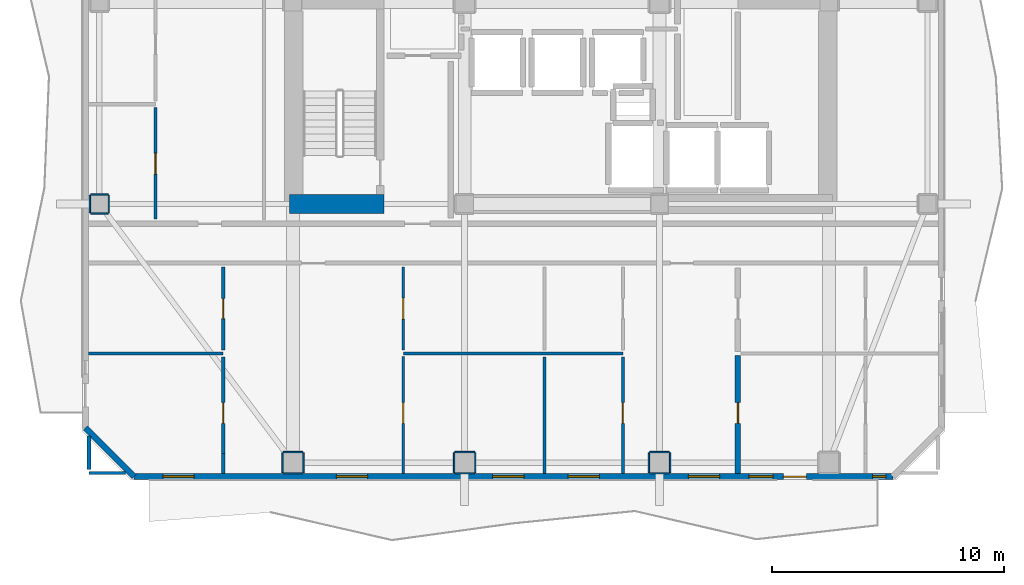
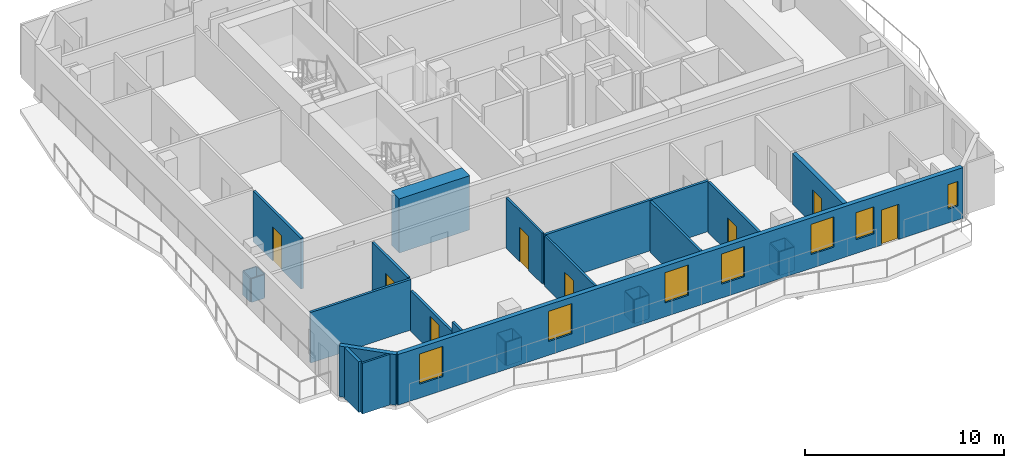
# One storey, part 2 of 10: 32 walls, 8 doors, 7 windows, 15 openings.
"""IFC4 building model written with IfcOpenShell, lengths in metres."""

from ifc_helpers import new_model, si_unit, direction, frame, frame_2d, origin, place, context, subcontext, project, spatial, rectangle, extrude, material, layer, layer_set, type_object, element, fill, save


model = new_model("IFC4")

# Units and contexts
model_context = context("Model", 3, precision=1e-05, world=origin(), true_north=direction((0.0, 1.0)))
body_context = subcontext(model_context, "Body", "Model", "MODEL_VIEW")
ifc_project = project(units=[si_unit("LENGTHUNIT", "METRE"), si_unit("AREAUNIT", "SQUARE_METRE"), si_unit("VOLUMEUNIT", "CUBIC_METRE"), si_unit("PLANEANGLEUNIT", "RADIAN"), si_unit("MASSUNIT", "GRAM", prefix="KILO")], contexts=[model_context])

# Site, building, storey
site_placement = place(None, origin())
site = spatial("IfcSite", under=ifc_project, at=site_placement, CompositionType="ELEMENT")
building_placement = place(site_placement, origin())
building = spatial("IfcBuilding", under=site, at=building_placement, Name="Solanera Arch Residences", CompositionType="ELEMENT")
storey_placement = place(building_placement, frame((0.0, 0.0, 193.47998046875)))
storey = spatial("IfcBuildingStorey", under=building, at=storey_placement, Name="L56", CompositionType="ELEMENT", Elevation=193.47998046875)

# Walls
ifc_material_1 = material(Name="Fire-Rated Gypsum Stud Partition", Category="gypsum")
ifc_layer_1 = layer(ifc_material_1, 0.06005859375)
ifc_layer_set_1 = layer_set([ifc_layer_1], Name="Fire-Rated Gypsum Stud Partition")
wall_type_1 = type_object("IfcWallType", Name="Column Acoustic Furring Wall 60", PredefinedType="PARTITIONING", material=ifc_layer_set_1)
for number, where, z_axis, x_axis, name in (
    (1, (12.97509765625, 10.39306640625, 0.0), (0.0, 0.0, 1.0), (1.0, 0.0, 0.0), "L56 Column Furring 9S"),
    (2, (12.97509765625, 11.306884765625, 0.0), (0.0, 0.0, 1.0), (1.0, 0.0, 0.0), "L56 Column Furring 9N"),
    (3, (12.943115234375, 10.425048828125, 0.0), (0.0, 0.0, 1.0), (0.0, 1.0, 0.0), "L56 Column Furring 9W"),
    (4, (13.85693359375, 10.425048828125, 0.0), (0.0, 0.0, 1.0), (0.0, 1.0, 0.0), "L56 Column Furring 9E"),
):
    element("IfcWall", number, at=place(storey_placement, frame(where, z_axis=z_axis, x_axis=x_axis)), inside=storey, type_object=wall_type_1, Name=name, PredefinedType="PARTITIONING", context=body_context, shape_type="SweptSolid", body=[
        extrude(rectangle(XDim=0.849853515625, YDim=0.06005859375, at=frame_2d((0.4248046875, 0.0))), origin(), (0.0, 0.0, 1.0), 1.449951171875),
    ])
for number, where, z_axis, x_axis, name in (
    (5, (20.375, 10.39306640625, 0.0), (0.0, 0.0, 1.0), (1.0, 0.0, 0.0), "L56 Column Furring 11S"),
    (6, (20.375, 11.306884765625, 0.0), (0.0, 0.0, 1.0), (1.0, 0.0, 0.0), "L56 Column Furring 11N"),
):
    element("IfcWall", number, at=place(storey_placement, frame(where, z_axis=z_axis, x_axis=x_axis)), inside=storey, type_object=wall_type_1, Name=name, PredefinedType="PARTITIONING", context=body_context, shape_type="SweptSolid", body=[
        extrude(rectangle(XDim=0.85009765625, YDim=0.06005859375, at=frame_2d((0.425048828125, 0.0))), origin(), (0.0, 0.0, 1.0), 1.449951171875),
    ])
for number, where, z_axis, x_axis, name in (
    (7, (20.343017578125, 10.425048828125, 0.0), (0.0, 0.0, 1.0), (0.0, 1.0, 0.0), "L56 Column Furring 11W"),
    (8, (21.257080078125, 10.425048828125, 0.0), (0.0, 0.0, 1.0), (0.0, 1.0, 0.0), "L56 Column Furring 11E"),
):
    element("IfcWall", number, at=place(storey_placement, frame(where, z_axis=z_axis, x_axis=x_axis)), inside=storey, type_object=wall_type_1, Name=name, PredefinedType="PARTITIONING", context=body_context, shape_type="SweptSolid", body=[
        extrude(rectangle(XDim=0.849853515625, YDim=0.06005859375, at=frame_2d((0.4248046875, 0.0))), origin(), (0.0, 0.0, 1.0), 1.449951171875),
    ])
for number, where, z_axis, x_axis, name in (
    (9, (28.77490234375, 10.39306640625, 0.0), (0.0, 0.0, 1.0), (1.0, 0.0, 0.0), "L56 Column Furring 13S"),
    (10, (28.77490234375, 11.306884765625, 0.0), (0.0, 0.0, 1.0), (1.0, 0.0, 0.0), "L56 Column Furring 13N"),
):
    element("IfcWall", number, at=place(storey_placement, frame(where, z_axis=z_axis, x_axis=x_axis)), inside=storey, type_object=wall_type_1, Name=name, PredefinedType="PARTITIONING", context=body_context, shape_type="SweptSolid", body=[
        extrude(rectangle(XDim=0.85009765625, YDim=0.06005859375, at=frame_2d((0.425048828125, 0.0))), origin(), (0.0, 0.0, 1.0), 1.449951171875),
    ])
for number, where, z_axis, x_axis, name in (
    (11, (28.742919921875, 10.425048828125, 0.0), (0.0, 0.0, 1.0), (0.0, 1.0, 0.0), "L56 Column Furring 13W"),
    (12, (29.656982421875, 10.425048828125, 0.0), (0.0, 0.0, 1.0), (0.0, 1.0, 0.0), "L56 Column Furring 13E"),
):
    element("IfcWall", number, at=place(storey_placement, frame(where, z_axis=z_axis, x_axis=x_axis)), inside=storey, type_object=wall_type_1, Name=name, PredefinedType="PARTITIONING", context=body_context, shape_type="SweptSolid", body=[
        extrude(rectangle(XDim=0.849853515625, YDim=0.06005859375, at=frame_2d((0.4248046875, 0.0))), origin(), (0.0, 0.0, 1.0), 1.449951171875),
    ])
for number, where, z_axis, x_axis, name in (
    (13, (4.675048828125, 21.593017578125, 0.0), (0.0, 0.0, 1.0), (1.0, 0.0, 0.0), "L56 Column Furring 17S"),
    (14, (4.675048828125, 22.406982421875, 0.0), (0.0, 0.0, 1.0), (1.0, 0.0, 0.0), "L56 Column Furring 17N"),
    (15, (4.64306640625, 21.625, 0.0), (0.0, 0.0, 1.0), (0.0, 1.0, 0.0), "L56 Column Furring 17W"),
    (16, (5.45703125, 21.625, 0.0), (0.0, 0.0, 1.0), (0.0, 1.0, 0.0), "L56 Column Furring 17E"),
):
    element("IfcWall", number, at=place(storey_placement, frame(where, z_axis=z_axis, x_axis=x_axis)), inside=storey, type_object=wall_type_1, Name=name, PredefinedType="PARTITIONING", context=body_context, shape_type="SweptSolid", body=[
        extrude(rectangle(XDim=0.75, YDim=0.06005859375, at=frame_2d((0.375, 0.0))), origin(), (0.0, 0.0, 1.0), 1.449951171875),
    ])
ifc_material_2 = material(Name="Concrete C40/50 (f'c = 45 MPa)", Category="concrete")
ifc_layer_2 = layer(ifc_material_2, 0.800048828125)
ifc_layer_set_2 = layer_set([ifc_layer_2], Name="Concrete C40/50 (f'c = 45 MPa)")
wall_type_2 = type_object("IfcWallType", Name="Core Shear Wall CW-800", PredefinedType="SHEAR", material=ifc_layer_set_2)
wall_1_placement = place(storey_placement, frame((13.239990234375, 22.0, 0.0), z_axis=(0.0, 0.0, 1.0), x_axis=(1.0, 0.0, 0.0)))
element("IfcWall", 17, at=wall_1_placement, inside=storey, type_object=wall_type_2, Name="L56 South-West Core Shear Wall", PredefinedType="SHEAR", context=body_context, shape_type="SweptSolid", body=[
    extrude(rectangle(XDim=4.080078125, YDim=0.800048828125, at=frame_2d((2.0400390625, 0.0))), origin(), (0.0, 0.0, 1.0), 3.320068359375),
])
ifc_material_3 = material(Name="Autoclaved Aerated Concrete Blockwork", Category="masonry")
ifc_layer_3 = layer(ifc_material_3, 0.179931640625)
ifc_layer_set_3 = layer_set([ifc_layer_3], Name="Autoclaved Aerated Concrete Blockwork")
wall_type_3 = type_object("IfcWallType", Name="Corridor Fire Partition 180", PredefinedType="PARTITIONING", material=ifc_layer_set_3)
wall_2_placement = place(storey_placement, frame((4.60009765625, 10.55810546875, 0.0), z_axis=(0.0, 0.0, 1.0), x_axis=(0.0, 1.0, 0.0)))
element("IfcWall", 18, at=wall_2_placement, inside=storey, type_object=wall_type_3, Name="L56 Interior Partition V8 1", PredefinedType="PARTITIONING", context=body_context, shape_type="SweptSolid", body=[
    extrude(rectangle(XDim=1.430908203125, YDim=0.179931640625, at=frame_2d((0.71533203125, 0.0))), origin(), (0.0, 0.0, 1.0), 3.10009765625),
])

# Wall, openings, door, windows
ifc_material_4 = material(Name="Precast Concrete C35/45", Category="concrete")
ifc_layer_4 = layer(ifc_material_4, 0.260009765625)
ifc_layer_set_4 = layer_set([ifc_layer_4], Name="Precast Concrete C35/45")
wall_type_4 = type_object("IfcWallType", Name="Exterior Wall Precast Masonry-Frame 260", PredefinedType="STANDARD", material=ifc_layer_set_4)
wall_3_placement = place(storey_placement, frame((39.2548828125, 10.2451171875, 0.0), z_axis=(0.0, 0.0, 1.0), x_axis=(-1.0, 0.0, 0.0)))
wall_3 = element("IfcWall", 19, at=wall_3_placement, inside=storey, type_object=wall_type_4, Name="L56 Tower Exterior Precast Masonry-Frame Wall S", PredefinedType="STANDARD", context=body_context, shape_type="SweptSolid", body=[
    extrude(rectangle(XDim=32.7099609375, YDim=0.260009765625, at=frame_2d((16.35498046875, 0.0))), origin(), (0.0, 0.0, 1.0), 3.10009765625),
])
opening_1_placement = place(wall_3_placement, frame((3.720947265625, 0.0, 0.0)))
opening_1 = element("IfcOpeningElement", 20, at=opening_1_placement, cuts=wall_3, Name="Opening DB-01", PredefinedType="OPENING", context=body_context, shape_type="SweptSolid", body=[
    extrude(rectangle(XDim=1.0, YDim=2.14990234375, at=frame_2d((0.5, 1.074951171875))), frame((0.0, 0.139892578125, 0.0), z_axis=(0.0, -1.0, 0.0), x_axis=(1.0, 0.0, 0.0)), (0.0, 0.0, 1.0), 0.28),
])
opening_2_placement = place(wall_3_placement, frame((22.639892578125, 0.0, 0.85009765625)))
opening_2 = element("IfcOpeningElement", 21, at=opening_2_placement, cuts=wall_3, Name="Opening W-10", PredefinedType="OPENING", context=body_context, shape_type="SweptSolid", body=[
    extrude(rectangle(XDim=1.35009765625, YDim=1.85009765625, at=frame_2d((0.675048828125, 0.925048828125))), frame((0.0, 0.139892578125, 0.0), z_axis=(0.0, -1.0, 0.0), x_axis=(1.0, 0.0, 0.0)), (0.0, 0.0, 1.0), 0.28),
])
opening_3_placement = place(wall_3_placement, frame((30.117919921875, 0.0, 0.85009765625)))
opening_3 = element("IfcOpeningElement", 22, at=opening_3_placement, cuts=wall_3, Name="Opening W-10", PredefinedType="OPENING", context=body_context, shape_type="SweptSolid", body=[
    extrude(rectangle(XDim=1.35009765625, YDim=1.85009765625, at=frame_2d((0.675048828125, 0.925048828125))), frame((0.0, 0.139892578125, 0.0), z_axis=(0.0, -1.0, 0.0), x_axis=(1.0, 0.0, 0.0)), (0.0, 0.0, 1.0), 0.28),
])
opening_4_placement = place(wall_3_placement, frame((15.89599609375, 0.0, 0.85009765625)))
opening_4 = element("IfcOpeningElement", 23, at=opening_4_placement, cuts=wall_3, Name="Opening W-10", PredefinedType="OPENING", context=body_context, shape_type="SweptSolid", body=[
    extrude(rectangle(XDim=1.35009765625, YDim=1.85009765625, at=frame_2d((0.675048828125, 0.925048828125))), frame((0.0, 0.139892578125, 0.0), z_axis=(0.0, -1.0, 0.0), x_axis=(1.0, 0.0, 0.0)), (0.0, 0.0, 1.0), 0.28),
])
opening_5_placement = place(wall_3_placement, frame((7.464111328125, 0.0, 0.85009765625)))
opening_5 = element("IfcOpeningElement", 24, at=opening_5_placement, cuts=wall_3, Name="Opening W-10", PredefinedType="OPENING", context=body_context, shape_type="SweptSolid", body=[
    extrude(rectangle(XDim=1.35009765625, YDim=1.85009765625, at=frame_2d((0.675048828125, 0.925048828125))), frame((0.0, 0.139892578125, 0.0), z_axis=(0.0, -1.0, 0.0), x_axis=(1.0, 0.0, 0.0)), (0.0, 0.0, 1.0), 0.28),
])
opening_6_placement = place(wall_3_placement, frame((12.64794921875, 0.0, 0.85009765625)))
opening_6 = element("IfcOpeningElement", 25, at=opening_6_placement, cuts=wall_3, Name="Opening W-10", PredefinedType="OPENING", context=body_context, shape_type="SweptSolid", body=[
    extrude(rectangle(XDim=1.35009765625, YDim=1.85009765625, at=frame_2d((0.675048828125, 0.925048828125))), frame((0.0, 0.139892578125, 0.0), z_axis=(0.0, -1.0, 0.0), x_axis=(1.0, 0.0, 0.0)), (0.0, 0.0, 1.0), 0.28),
])
opening_7_placement = place(wall_3_placement, frame((5.158935546875, 0.0, 0.85009765625)))
opening_7 = element("IfcOpeningElement", 26, at=opening_7_placement, cuts=wall_3, Name="Opening W-07", PredefinedType="OPENING", context=body_context, shape_type="SweptSolid", body=[
    extrude(rectangle(XDim=1.050048828125, YDim=1.64990234375, at=frame_2d((0.52490234375, 0.824951171875))), frame((0.0, 0.139892578125, 0.0), z_axis=(0.0, -1.0, 0.0), x_axis=(1.0, 0.0, 0.0)), (0.0, 0.0, 1.0), 0.28),
])
opening_8_placement = place(wall_3_placement, frame((0.29296875, 0.0, 0.85009765625)))
opening_8 = element("IfcOpeningElement", 27, at=opening_8_placement, cuts=wall_3, Name="Opening W-14", PredefinedType="OPENING", context=body_context, shape_type="SweptSolid", body=[
    extrude(rectangle(XDim=0.580078125, YDim=1.5, at=frame_2d((0.2900390625, 0.75))), frame((0.0, 0.139892578125, 0.0), z_axis=(0.0, -1.0, 0.0), x_axis=(1.0, 0.0, 0.0)), (0.0, 0.0, 1.0), 0.28),
])
ifc_material_5 = material(Name="Anodised Aluminium Alloy 6063-T6", Category="aluminium")
door_type_1 = type_object("IfcDoorType", Name="Glazed Balcony Swing Door DB-01", OperationType="NOTDEFINED", PredefinedType="DOOR", material=ifc_material_5)
door_1_placement = place(opening_1_placement, origin())
door_1 = element("IfcDoor", 28, at=door_1_placement, inside=storey, type_object=door_type_1, Name="DR-L56-OUT-01", OperationType="SINGLE_SWING_RIGHT", OverallHeight=2.14990234375, OverallWidth=1.0, PredefinedType="DOOR", context=body_context, shape_type="SweptSolid", body=[
    extrude(rectangle(XDim=1.0, YDim=2.14990234375, at=frame_2d((0.5, 1.074951171875))), frame((0.0, 0.02490234375, 0.0), z_axis=(0.0, -1.0, 0.0), x_axis=(1.0, 0.0, 0.0)), (0.0, 0.0, 1.0), 0.050048828125),
])
fill(opening_1, door_1)
ifc_material_6 = material(Name="Double Glazed Low-E Laminated Glass", Category="glass")
window_type_1 = type_object("IfcWindowType", Name="Punched Window W-07", PartitioningType="SINGLE_PANEL", PredefinedType="WINDOW", material=ifc_material_6)
window_1_placement = place(opening_7_placement, origin())
window_1 = element("IfcWindow", 29, at=window_1_placement, inside=storey, type_object=window_type_1, Name="L56 5602-BR2 Punched Window", OverallHeight=1.64990234375, OverallWidth=1.050048828125, PartitioningType="SINGLE_PANEL", PredefinedType="WINDOW", context=body_context, shape_type="SweptSolid", body=[
    extrude(rectangle(XDim=1.050048828125, YDim=1.64990234375, at=frame_2d((0.52490234375, 0.824951171875))), frame((0.0, 0.030029296875, 0.0), z_axis=(0.0, -1.0, 0.0), x_axis=(1.0, 0.0, 0.0)), (0.0, 0.0, 1.0), 0.06005859375),
])
fill(opening_7, window_1)
ifc_material_7 = material(Name="Double Glazed Low-E Laminated Glass", Category="glass")
window_type_2 = type_object("IfcWindowType", Name="Punched Window W-10", PartitioningType="DOUBLE_PANEL_VERTICAL", PredefinedType="WINDOW", material=ifc_material_7)
window_2_placement = place(opening_2_placement, origin())
window_2 = element("IfcWindow", 30, at=window_2_placement, inside=storey, type_object=window_type_2, Name="L56 5601-LIV Punched Window", OverallHeight=1.85009765625, OverallWidth=1.35009765625, PartitioningType="SINGLE_PANEL", PredefinedType="WINDOW", context=body_context, shape_type="SweptSolid", body=[
    extrude(rectangle(XDim=1.35009765625, YDim=1.85009765625, at=frame_2d((0.675048828125, 0.925048828125))), frame((0.0, 0.030029296875, 0.0), z_axis=(0.0, -1.0, 0.0), x_axis=(1.0, 0.0, 0.0)), (0.0, 0.0, 1.0), 0.06005859375),
])
fill(opening_2, window_2)
window_3_placement = place(opening_3_placement, origin())
window_3 = element("IfcWindow", 31, at=window_3_placement, inside=storey, type_object=window_type_2, Name="L56 5601-BR1 Punched Window", OverallHeight=1.85009765625, OverallWidth=1.35009765625, PartitioningType="SINGLE_PANEL", PredefinedType="WINDOW", context=body_context, shape_type="SweptSolid", body=[
    extrude(rectangle(XDim=1.35009765625, YDim=1.85009765625, at=frame_2d((0.675048828125, 0.925048828125))), frame((0.0, 0.030029296875, 0.0), z_axis=(0.0, -1.0, 0.0), x_axis=(1.0, 0.0, 0.0)), (0.0, 0.0, 1.0), 0.06005859375),
])
fill(opening_3, window_3)
window_4_placement = place(opening_4_placement, origin())
window_4 = element("IfcWindow", 32, at=window_4_placement, inside=storey, type_object=window_type_2, Name="L56 5601-BR2 Punched Window", OverallHeight=1.85009765625, OverallWidth=1.35009765625, PartitioningType="SINGLE_PANEL", PredefinedType="WINDOW", context=body_context, shape_type="SweptSolid", body=[
    extrude(rectangle(XDim=1.35009765625, YDim=1.85009765625, at=frame_2d((0.675048828125, 0.925048828125))), frame((0.0, 0.030029296875, 0.0), z_axis=(0.0, -1.0, 0.0), x_axis=(1.0, 0.0, 0.0)), (0.0, 0.0, 1.0), 0.06005859375),
])
fill(opening_4, window_4)
window_5_placement = place(opening_5_placement, origin())
window_5 = element("IfcWindow", 33, at=window_5_placement, inside=storey, type_object=window_type_2, Name="L56 5602-LIV Punched Window", OverallHeight=1.85009765625, OverallWidth=1.35009765625, PartitioningType="SINGLE_PANEL", PredefinedType="WINDOW", context=body_context, shape_type="SweptSolid", body=[
    extrude(rectangle(XDim=1.35009765625, YDim=1.85009765625, at=frame_2d((0.675048828125, 0.925048828125))), frame((0.0, 0.030029296875, 0.0), z_axis=(0.0, -1.0, 0.0), x_axis=(1.0, 0.0, 0.0)), (0.0, 0.0, 1.0), 0.06005859375),
])
fill(opening_5, window_5)
window_6_placement = place(opening_6_placement, origin())
window_6 = element("IfcWindow", 34, at=window_6_placement, inside=storey, type_object=window_type_2, Name="L56 5602-BR1 Punched Window", OverallHeight=1.85009765625, OverallWidth=1.35009765625, PartitioningType="SINGLE_PANEL", PredefinedType="WINDOW", context=body_context, shape_type="SweptSolid", body=[
    extrude(rectangle(XDim=1.35009765625, YDim=1.85009765625, at=frame_2d((0.675048828125, 0.925048828125))), frame((0.0, 0.030029296875, 0.0), z_axis=(0.0, -1.0, 0.0), x_axis=(1.0, 0.0, 0.0)), (0.0, 0.0, 1.0), 0.06005859375),
])
fill(opening_6, window_6)
ifc_material_8 = material(Name="Double Glazed Low-E Laminated Glass", Category="glass")
window_type_3 = type_object("IfcWindowType", Name="Punched Window W-14", PartitioningType="SINGLE_PANEL", PredefinedType="WINDOW", material=ifc_material_8)
window_7_placement = place(opening_8_placement, origin())
window_7 = element("IfcWindow", 35, at=window_7_placement, inside=storey, type_object=window_type_3, Name="L56 5602-BR3 Punched Window", OverallHeight=1.5, OverallWidth=0.580078125, PartitioningType="SINGLE_PANEL", PredefinedType="WINDOW", context=body_context, shape_type="SweptSolid", body=[
    extrude(rectangle(XDim=0.580078125, YDim=1.5, at=frame_2d((0.2900390625, 0.75))), frame((0.0, 0.030029296875, 0.0), z_axis=(0.0, -1.0, 0.0), x_axis=(1.0, 0.0, 0.0)), (0.0, 0.0, 1.0), 0.06005859375),
])
fill(opening_8, window_7)

# Wall
wall_4_placement = place(storey_placement, frame((6.544921875, 10.2451171875, 0.0), z_axis=(0.0, 0.0, 1.0), x_axis=(-0.707106781187, 0.707106781187, 0.0)))
element("IfcWall", 36, at=wall_4_placement, inside=storey, type_object=wall_type_4, Name="L56 Tower Exterior Precast Masonry-Frame Wall CH7", PredefinedType="STANDARD", context=body_context, shape_type="SweptSolid", body=[
    extrude(rectangle(XDim=2.9697265625, YDim=0.260009765625, at=frame_2d((1.48486328125, 0.0))), origin(), (0.0, 0.0, 1.0), 3.10009765625),
])

# Wall, opening, door
ifc_material_9 = material(Name="Autoclaved Aerated Concrete Blockwork", Category="masonry")
ifc_layer_5 = layer(ifc_material_9, 0.239990234375)
ifc_layer_set_5 = layer_set([ifc_layer_5], Name="Autoclaved Aerated Concrete Blockwork")
wall_type_5 = type_object("IfcWallType", Name="Shaft Wall Fire-Rated 240", PredefinedType="PARTITIONING", material=ifc_layer_set_5)
wall_5_placement = place(storey_placement, frame((32.580078125, 10.386962890625, 0.0), z_axis=(0.0, 0.0, 1.0), x_axis=(0.0, 1.0, 0.0)))
wall_5 = element("IfcWall", 37, at=wall_5_placement, inside=storey, type_object=wall_type_5, Name="L56 Interior Partition V5 1", PredefinedType="PARTITIONING", context=body_context, shape_type="SweptSolid", body=[
    extrude(rectangle(XDim=5.087158203125, YDim=0.239990234375, at=frame_2d((2.54345703125, 0.0))), origin(), (0.0, 0.0, 1.0), 3.10009765625),
])
opening_9_placement = place(wall_5_placement, frame((2.155029296875, 0.0, 0.0)))
opening_9 = element("IfcOpeningElement", 38, at=opening_9_placement, cuts=wall_5, Name="Opening DI-03", PredefinedType="OPENING", context=body_context, shape_type="SweptSolid", body=[
    extrude(rectangle(XDim=0.89990234375, YDim=2.10009765625, at=frame_2d((0.449951171875, 1.050048828125))), frame((0.0, 0.1298828125, 0.0), z_axis=(0.0, -1.0, 0.0), x_axis=(1.0, 0.0, 0.0)), (0.0, 0.0, 1.0), 0.26),
])
ifc_material_10 = material(Name="Fire-Rated Architectural Hardwood", Category="wood")
door_type_2 = type_object("IfcDoorType", Name="Bedroom Swing Door DI-03", OperationType="NOTDEFINED", PredefinedType="DOOR", material=ifc_material_10)
door_2_placement = place(opening_9_placement, origin())
door_2 = element("IfcDoor", 39, at=door_2_placement, inside=storey, type_object=door_type_2, Name="DR-L56-IN-024", OperationType="SINGLE_SWING_RIGHT", OverallHeight=2.10009765625, OverallWidth=0.89990234375, PredefinedType="DOOR", context=body_context, shape_type="SweptSolid", body=[
    extrude(rectangle(XDim=0.89990234375, YDim=2.10009765625, at=frame_2d((0.449951171875, 1.050048828125))), frame((0.0, 0.02490234375, 0.0), z_axis=(0.0, -1.0, 0.0), x_axis=(1.0, 0.0, 0.0)), (0.0, 0.0, 1.0), 0.050048828125),
])
fill(opening_9, door_2)

# Wall
ifc_material_11 = material(Name="Fire-Rated Gypsum Stud Partition", Category="gypsum")
ifc_layer_6 = layer(ifc_material_11, 0.1201171875)
ifc_layer_set_6 = layer_set([ifc_layer_6], Name="Fire-Rated Gypsum Stud Partition")
wall_type_6 = type_object("IfcWallType", Name="Unit Drywall Partition 120", PredefinedType="PARTITIONING", material=ifc_layer_set_6)
wall_6_placement = place(storey_placement, frame((4.60009765625, 10.39990234375, 0.0), z_axis=(0.0, 0.0, 1.0), x_axis=(1.0, 0.0, 0.0)))
element("IfcWall", 40, at=wall_6_placement, inside=storey, type_object=wall_type_6, Name="L56 Interior Partition H20 1", PredefinedType="PARTITIONING", context=body_context, shape_type="SweptSolid", body=[
    extrude(rectangle(XDim=1.5888671875, YDim=0.1201171875, at=frame_2d((0.79443359375, 0.0))), origin(), (0.0, 0.0, 1.0), 3.10009765625),
])

# Wall, opening, door
wall_7_placement = place(storey_placement, frame((18.154052734375, 10.386962890625, 0.0), z_axis=(0.0, 0.0, 1.0), x_axis=(0.0, 1.0, 0.0)))
wall_7 = element("IfcWall", 41, at=wall_7_placement, inside=storey, type_object=wall_type_6, Name="L56 Interior Partition V19 1", PredefinedType="PARTITIONING", context=body_context, shape_type="SweptSolid", body=[
    extrude(rectangle(XDim=5.033935546875, YDim=0.1201171875, at=frame_2d((2.51708984375, 0.0))), origin(), (0.0, 0.0, 1.0), 3.10009765625),
])
opening_10_placement = place(wall_7_placement, frame((2.155029296875, 0.0, 0.0)))
opening_10 = element("IfcOpeningElement", 42, at=opening_10_placement, cuts=wall_7, Name="Opening DI-03", PredefinedType="OPENING", context=body_context, shape_type="SweptSolid", body=[
    extrude(rectangle(XDim=0.89990234375, YDim=2.10009765625, at=frame_2d((0.449951171875, 1.050048828125))), frame((0.0, 0.070068359375, 0.0), z_axis=(0.0, -1.0, 0.0), x_axis=(1.0, 0.0, 0.0)), (0.0, 0.0, 1.0), 0.1401),
])
door_3_placement = place(opening_10_placement, origin())
door_3 = element("IfcDoor", 43, at=door_3_placement, inside=storey, type_object=door_type_2, Name="DR-L56-IN-018", OperationType="SINGLE_SWING_RIGHT", OverallHeight=2.10009765625, OverallWidth=0.89990234375, PredefinedType="DOOR", context=body_context, shape_type="SweptSolid", body=[
    extrude(rectangle(XDim=0.89990234375, YDim=2.10009765625, at=frame_2d((0.449951171875, 1.050048828125))), frame((0.0, 0.02490234375, 0.0), z_axis=(0.0, -1.0, 0.0), x_axis=(1.0, 0.0, 0.0)), (0.0, 0.0, 1.0), 0.050048828125),
])
fill(opening_10, door_3)

wall_8_placement = place(storey_placement, frame((18.154052734375, 15.697021484375, 0.0), z_axis=(0.0, 0.0, 1.0), x_axis=(0.0, 1.0, 0.0)))
wall_8 = element("IfcWall", 44, at=wall_8_placement, inside=storey, type_object=wall_type_6, Name="L56 Interior Partition V19 2", PredefinedType="PARTITIONING", context=body_context, shape_type="SweptSolid", body=[
    extrude(rectangle(XDim=3.594970703125, YDim=0.1201171875, at=frame_2d((1.79736328125, 0.0))), origin(), (0.0, 0.0, 1.0), 3.10009765625),
])
opening_11_placement = place(wall_8_placement, frame((1.344970703125, 0.0, 0.0)))
opening_11 = element("IfcOpeningElement", 45, at=opening_11_placement, cuts=wall_8, Name="Opening DI-02", PredefinedType="OPENING", context=body_context, shape_type="SweptSolid", body=[
    extrude(rectangle(XDim=0.89990234375, YDim=2.10009765625, at=frame_2d((0.449951171875, 1.050048828125))), frame((0.0, 0.070068359375, 0.0), z_axis=(0.0, -1.0, 0.0), x_axis=(1.0, 0.0, 0.0)), (0.0, 0.0, 1.0), 0.1401),
])
ifc_material_12 = material(Name="Fire-Rated Architectural Hardwood", Category="wood")
door_type_3 = type_object("IfcDoorType", Name="Suite Room Swing Door DI-02", OperationType="NOTDEFINED", PredefinedType="DOOR", material=ifc_material_12)
door_4_placement = place(opening_11_placement, origin())
door_4 = element("IfcDoor", 46, at=door_4_placement, inside=storey, type_object=door_type_3, Name="DR-L56-IN-017", OperationType="SINGLE_SWING_LEFT", OverallHeight=2.10009765625, OverallWidth=0.89990234375, PredefinedType="DOOR", context=body_context, shape_type="SweptSolid", body=[
    extrude(rectangle(XDim=0.89990234375, YDim=2.10009765625, at=frame_2d((0.449951171875, 1.050048828125))), frame((0.0, 0.02490234375, 0.0), z_axis=(0.0, -1.0, 0.0), x_axis=(1.0, 0.0, 0.0)), (0.0, 0.0, 1.0), 0.050048828125),
])
fill(opening_11, door_4)

# Walls
ifc_material_13 = material(Name="Autoclaved Aerated Concrete Blockwork", Category="masonry")
ifc_layer_7 = layer(ifc_material_13, 0.139892578125)
ifc_layer_set_7 = layer_set([ifc_layer_7], Name="Autoclaved Aerated Concrete Blockwork")
wall_type_7 = type_object("IfcWallType", Name="Wet-Room Partition 140", PredefinedType="PARTITIONING", material=ifc_layer_set_7)
wall_9_placement = place(storey_placement, frame((4.5869140625, 15.55908203125, 0.0), z_axis=(0.0, 0.0, 1.0), x_axis=(1.0, 0.0, 0.0)))
element("IfcWall", 47, at=wall_9_placement, inside=storey, type_object=wall_type_7, Name="L56 Interior Partition H14", PredefinedType="PARTITIONING", context=body_context, shape_type="SweptSolid", body=[
    extrude(rectangle(XDim=5.802001953125, YDim=0.139892578125, at=frame_2d((2.90087890625, 0.0))), origin(), (0.0, 0.0, 1.0), 3.10009765625),
])
wall_10_placement = place(storey_placement, frame((18.154052734375, 15.55908203125, 0.0), z_axis=(0.0, 0.0, 1.0), x_axis=(1.0, 0.0, 0.0)))
element("IfcWall", 48, at=wall_10_placement, inside=storey, type_object=wall_type_7, Name="L56 Interior Partition H15", PredefinedType="PARTITIONING", context=body_context, shape_type="SweptSolid", body=[
    extrude(rectangle(XDim=9.466064453125, YDim=0.139892578125, at=frame_2d((4.73291015625, 0.0))), origin(), (0.0, 0.0, 1.0), 3.10009765625),
])

# Wall, opening, door
wall_11_placement = place(storey_placement, frame((7.468994140625, 21.347900390625, 0.0), z_axis=(0.0, 0.0, 1.0), x_axis=(0.0, 1.0, 0.0)))
wall_11 = element("IfcWall", 49, at=wall_11_placement, inside=storey, type_object=wall_type_7, Name="L56 Interior Partition V13 1", PredefinedType="PARTITIONING", context=body_context, shape_type="SweptSolid", body=[
    extrude(rectangle(XDim=4.80419921875, YDim=0.139892578125, at=frame_2d((2.402099609375, 0.0))), origin(), (0.0, 0.0, 1.0), 3.10009765625),
])
opening_12_placement = place(wall_11_placement, frame((1.93994140625, 0.0, 0.0)))
opening_12 = element("IfcOpeningElement", 50, at=opening_12_placement, cuts=wall_11, Name="Opening DI-02", PredefinedType="OPENING", context=body_context, shape_type="SweptSolid", body=[
    extrude(rectangle(XDim=0.89990234375, YDim=2.10009765625, at=frame_2d((0.449951171875, 1.050048828125))), frame((0.0, 0.079833984375, 0.0), z_axis=(0.0, -1.0, 0.0), x_axis=(1.0, 0.0, 0.0)), (0.0, 0.0, 1.0), 0.1599),
])
door_5_placement = place(opening_12_placement, origin())
door_5 = element("IfcDoor", 51, at=door_5_placement, inside=storey, type_object=door_type_3, Name="DR-L56-IN-031", OperationType="SINGLE_SWING_LEFT", OverallHeight=2.10009765625, OverallWidth=0.89990234375, PredefinedType="DOOR", context=body_context, shape_type="SweptSolid", body=[
    extrude(rectangle(XDim=0.89990234375, YDim=2.10009765625, at=frame_2d((0.449951171875, 1.050048828125))), frame((0.0, 0.02490234375, 0.0), z_axis=(0.0, -1.0, 0.0), x_axis=(1.0, 0.0, 0.0)), (0.0, 0.0, 1.0), 0.050048828125),
])
fill(opening_12, door_5)

# Wall
wall_12_placement = place(storey_placement, frame((10.388916015625, 10.386962890625, 0.0), z_axis=(0.0, 0.0, 1.0), x_axis=(0.0, 1.0, 0.0)))
element("IfcWall", 52, at=wall_12_placement, inside=storey, type_object=wall_type_7, Name="L56 Interior Partition V14 1", PredefinedType="PARTITIONING", context=body_context, shape_type="SweptSolid", body=[
    extrude(rectangle(XDim=0.85107421875, YDim=0.139892578125, at=frame_2d((0.425537109375, 0.0))), origin(), (0.0, 0.0, 1.0), 3.10009765625),
])

# Wall, opening, door
wall_13_placement = place(storey_placement, frame((10.388916015625, 11.238037109375, 0.0), z_axis=(0.0, 0.0, 1.0), x_axis=(0.0, 1.0, 0.0)))
wall_13 = element("IfcWall", 53, at=wall_13_placement, inside=storey, type_object=wall_type_7, Name="L56 Interior Partition V14 2", PredefinedType="PARTITIONING", context=body_context, shape_type="SweptSolid", body=[
    extrude(rectangle(XDim=4.1728515625, YDim=0.139892578125, at=frame_2d((2.08642578125, 0.0))), origin(), (0.0, 0.0, 1.0), 2.47705078125),
])
opening_13_placement = place(wall_13_placement, frame((1.303955078125, 0.0, 0.0)))
opening_13 = element("IfcOpeningElement", 54, at=opening_13_placement, cuts=wall_13, Name="Opening DI-03", PredefinedType="OPENING", context=body_context, shape_type="SweptSolid", body=[
    extrude(rectangle(XDim=0.89990234375, YDim=2.10009765625, at=frame_2d((0.449951171875, 1.050048828125))), frame((0.0, 0.079833984375, 0.0), z_axis=(0.0, -1.0, 0.0), x_axis=(1.0, 0.0, 0.0)), (0.0, 0.0, 1.0), 0.1599),
])
door_6_placement = place(opening_13_placement, origin())
door_6 = element("IfcDoor", 55, at=door_6_placement, inside=storey, type_object=door_type_2, Name="DR-L56-IN-016", OperationType="SINGLE_SWING_RIGHT", OverallHeight=2.10009765625, OverallWidth=0.89990234375, PredefinedType="DOOR", context=body_context, shape_type="SweptSolid", body=[
    extrude(rectangle(XDim=0.89990234375, YDim=2.10009765625, at=frame_2d((0.449951171875, 1.050048828125))), frame((0.0, 0.02490234375, 0.0), z_axis=(0.0, -1.0, 0.0), x_axis=(1.0, 0.0, 0.0)), (0.0, 0.0, 1.0), 0.050048828125),
])
fill(opening_13, door_6)

wall_14_placement = place(storey_placement, frame((10.388916015625, 15.70703125, 0.0), z_axis=(0.0, 0.0, 1.0), x_axis=(0.0, 1.0, 0.0)))
wall_14 = element("IfcWall", 56, at=wall_14_placement, inside=storey, type_object=wall_type_7, Name="L56 Interior Partition V14 3", PredefinedType="PARTITIONING", context=body_context, shape_type="SweptSolid", body=[
    extrude(rectangle(XDim=3.574951171875, YDim=0.139892578125, at=frame_2d((1.78759765625, 0.0))), origin(), (0.0, 0.0, 1.0), 3.10009765625),
])
opening_14_placement = place(wall_14_placement, frame((1.35498046875, 0.0, 0.0)))
opening_14 = element("IfcOpeningElement", 57, at=opening_14_placement, cuts=wall_14, Name="Opening DI-05", PredefinedType="OPENING", context=body_context, shape_type="SweptSolid", body=[
    extrude(rectangle(XDim=0.860107421875, YDim=2.02001953125, at=frame_2d((0.43017578125, 1.010009765625))), frame((0.0, 0.079833984375, 0.0), z_axis=(0.0, -1.0, 0.0), x_axis=(1.0, 0.0, 0.0)), (0.0, 0.0, 1.0), 0.1599),
])
ifc_material_14 = material(Name="Fire-Rated Architectural Hardwood", Category="wood")
door_type_4 = type_object("IfcDoorType", Name="Bathroom Swing Door DI-05", OperationType="NOTDEFINED", PredefinedType="DOOR", material=ifc_material_14)
door_7_placement = place(opening_14_placement, origin())
door_7 = element("IfcDoor", 58, at=door_7_placement, inside=storey, type_object=door_type_4, Name="DR-L56-IN-015", OperationType="SINGLE_SWING_LEFT", OverallHeight=2.02001953125, OverallWidth=0.860107421875, PredefinedType="DOOR", context=body_context, shape_type="SweptSolid", body=[
    extrude(rectangle(XDim=0.860107421875, YDim=2.02001953125, at=frame_2d((0.43017578125, 1.010009765625))), frame((0.0, 0.02490234375, 0.0), z_axis=(0.0, -1.0, 0.0), x_axis=(1.0, 0.0, 0.0)), (0.0, 0.0, 1.0), 0.050048828125),
])
fill(opening_14, door_7)

# Wall
wall_15_placement = place(storey_placement, frame((24.243896484375, 10.386962890625, 0.0), z_axis=(0.0, 0.0, 1.0), x_axis=(0.0, 1.0, 0.0)))
element("IfcWall", 59, at=wall_15_placement, inside=storey, type_object=wall_type_7, Name="L56 Interior Partition V15 1", PredefinedType="PARTITIONING", context=body_context, shape_type="SweptSolid", body=[
    extrude(rectangle(XDim=5.02392578125, YDim=0.139892578125, at=frame_2d((2.511962890625, 0.0))), origin(), (0.0, 0.0, 1.0), 3.10009765625),
])

# Wall, opening, door
wall_16_placement = place(storey_placement, frame((27.6201171875, 10.386962890625, 0.0), z_axis=(0.0, 0.0, 1.0), x_axis=(0.0, 1.0, 0.0)))
wall_16 = element("IfcWall", 60, at=wall_16_placement, inside=storey, type_object=wall_type_7, Name="L56 Interior Partition V17 1", PredefinedType="PARTITIONING", context=body_context, shape_type="SweptSolid", body=[
    extrude(rectangle(XDim=5.02392578125, YDim=0.139892578125, at=frame_2d((2.511962890625, 0.0))), origin(), (0.0, 0.0, 1.0), 3.10009765625),
])
opening_15_placement = place(wall_16_placement, frame((2.155029296875, 0.0, 0.0)))
opening_15 = element("IfcOpeningElement", 61, at=opening_15_placement, cuts=wall_16, Name="Opening DI-03", PredefinedType="OPENING", context=body_context, shape_type="SweptSolid", body=[
    extrude(rectangle(XDim=0.89990234375, YDim=2.10009765625, at=frame_2d((0.449951171875, 1.050048828125))), frame((0.0, 0.079833984375, 0.0), z_axis=(0.0, -1.0, 0.0), x_axis=(1.0, 0.0, 0.0)), (0.0, 0.0, 1.0), 0.1599),
])
door_8_placement = place(opening_15_placement, origin())
door_8 = element("IfcDoor", 62, at=door_8_placement, inside=storey, type_object=door_type_2, Name="DR-L56-IN-021", OperationType="SINGLE_SWING_LEFT", OverallHeight=2.10009765625, OverallWidth=0.89990234375, PredefinedType="DOOR", context=body_context, shape_type="SweptSolid", body=[
    extrude(rectangle(XDim=0.89990234375, YDim=2.10009765625, at=frame_2d((0.449951171875, 1.050048828125))), frame((0.0, 0.02490234375, 0.0), z_axis=(0.0, -1.0, 0.0), x_axis=(1.0, 0.0, 0.0)), (0.0, 0.0, 1.0), 0.050048828125),
])
fill(opening_15, door_8)

save(model, "model.ifc")
